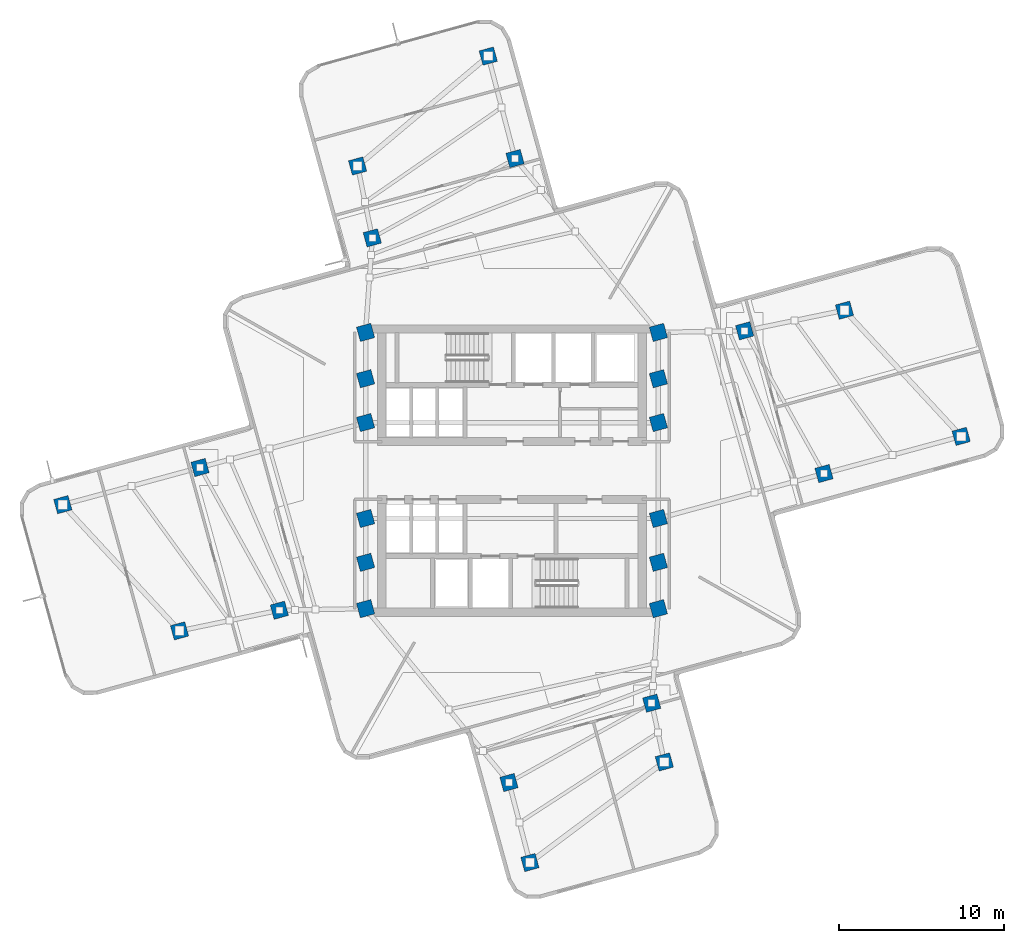
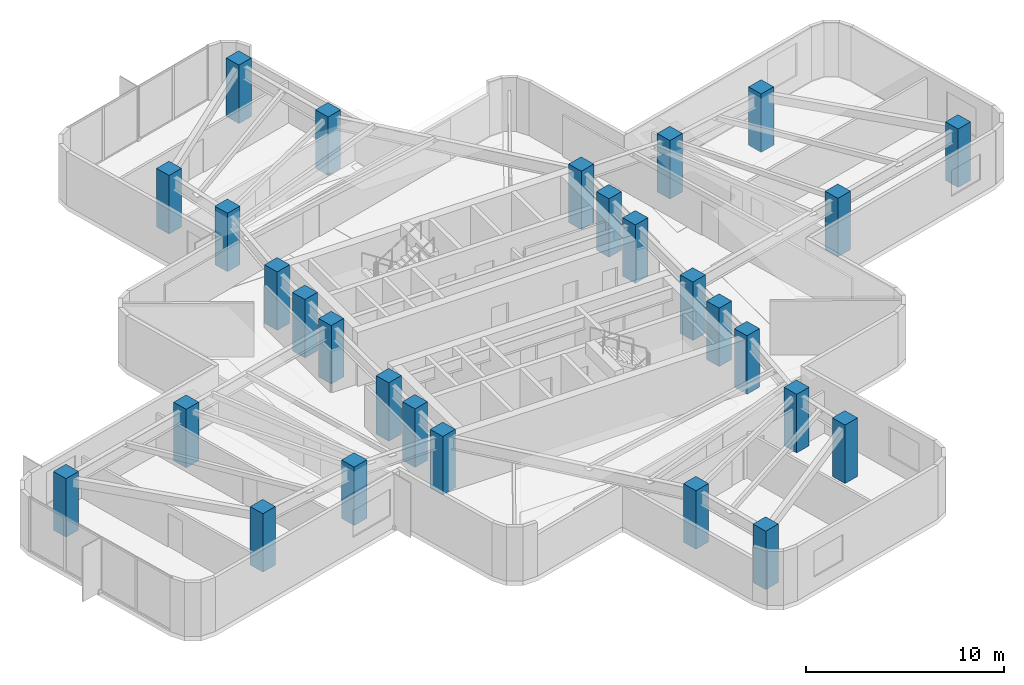
# One storey, part 1 of 12: 28 columns.
"""IFC4 building model written with IfcOpenShell, lengths in metres."""

from ifc_helpers import new_model, si_unit, direction, frame, origin, origin_2d, place, context, subcontext, project, spatial, rectangle, extrude, material, material_profile, profile_set, type_object, element, save


model = new_model("IFC4")

# Units and contexts
model_context = context("Model", 3, precision=1e-05, world=origin(), true_north=direction((0.0, 1.0)))
body_context = subcontext(model_context, "Body", "Model", "MODEL_VIEW")
ifc_project = project(units=[si_unit("LENGTHUNIT", "METRE"), si_unit("AREAUNIT", "SQUARE_METRE"), si_unit("VOLUMEUNIT", "CUBIC_METRE"), si_unit("PLANEANGLEUNIT", "RADIAN"), si_unit("MASSUNIT", "GRAM", prefix="KILO")], contexts=[model_context])

# Site, building, storey
site_placement = place(None, origin())
site = spatial("IfcSite", under=ifc_project, at=site_placement, CompositionType="ELEMENT")
building_placement = place(site_placement, origin())
building = spatial("IfcBuilding", under=site, at=building_placement, Name="Solmarez Civic Tower", CompositionType="ELEMENT")
storey_placement = place(building_placement, frame((0.0, 0.0, 134.280029296875)))
storey = spatial("IfcBuildingStorey", under=building, at=storey_placement, Name="L35", CompositionType="ELEMENT", Elevation=134.280029296875)

# Columns
ifc_material = material(Name="Concrete C50/60", Category="concrete")
ifc_material_profile = material_profile(ifc_material, rectangle(XDim=0.89990234375, YDim=0.89990234375, at=origin_2d()), Name="RC900X900")
ifc_profile_set = profile_set([ifc_material_profile], Name="Concrete C50/60")
column_type = type_object("IfcColumnType", Name="COL-RC900", PredefinedType="COLUMN", material=ifc_profile_set)
for number, where, z_axis, x_axis, name in (
    (1, (-8.85009765625, -5.550048828125, 0.0), (0.0, 0.0, 1.0), (0.964095404234, 0.265556117487, 0.0), "L35 Structural Column HC1"),
    (2, (-8.85009765625, -2.89990234375, 0.0), (0.0, 0.0, 1.0), (0.964095404234, 0.265556117487, 0.0), "L35 Structural Column HC2"),
    (3, (-8.85009765625, 2.89990234375, 0.0), (0.0, 0.0, 1.0), (0.964095404234, 0.265556117487, 0.0), "L35 Structural Column HC3"),
    (4, (-8.85009765625, 5.550048828125, 0.0), (0.0, 0.0, 1.0), (0.964095404234, 0.265556117487, 0.0), "L35 Structural Column HC4"),
    (5, (8.85009765625, -5.550048828125, 0.0), (0.0, 0.0, 1.0), (0.964095404234, 0.265556117487, 0.0), "L35 Structural Column HC5"),
    (6, (8.85009765625, -2.89990234375, 0.0), (0.0, 0.0, 1.0), (0.964095404234, 0.265556117487, 0.0), "L35 Structural Column HC6"),
    (7, (8.85009765625, 2.89990234375, 0.0), (0.0, 0.0, 1.0), (0.964095404234, 0.265556117487, 0.0), "L35 Structural Column HC7"),
    (8, (8.85009765625, 5.550048828125, 0.0), (0.0, 0.0, 1.0), (0.964095404234, 0.265556117487, 0.0), "L35 Structural Column HC8"),
    (9, (-8.85009765625, 8.35009765625, 0.0), (0.0, 0.0, 1.0), (0.964095404234, 0.265556117487, 0.0), "L35 Structural Column HC9"),
    (10, (8.85009765625, -8.35009765625, 0.0), (0.0, 0.0, 1.0), (0.964095404234, 0.265556117487, 0.0), "L35 Structural Column HC10"),
    (11, (8.85009765625, 8.35009765625, 0.0), (0.0, 0.0, 1.0), (0.964095404234, 0.265556117487, 0.0), "L35 Structural Column HC11"),
    (12, (-8.85009765625, -8.35009765625, 0.0), (0.0, 0.0, 1.0), (0.964095404234, 0.265556117487, 0.0), "L35 Structural Column HC12"),
    (13, (18.860107421875, -0.18310546875, 0.0), (0.0, 0.0, 1.0), (0.964095404234, 0.265556117487, 0.0), "L35 Structural Column EA11"),
    (14, (14.06396484375, 8.445068359375, 0.0), (0.0, 0.0, 1.0), (0.964095404234, 0.265556117487, 0.0), "L35 Structural Column EA12"),
    (15, (27.153076171875, 2.06396484375, 0.0), (0.0, 0.0, 1.0), (0.964095404234, 0.265556117487, 0.0), "L35 Structural Column EA21"),
    (16, (20.097900390625, 9.69189453125, 0.0), (0.0, 0.0, 1.0), (0.964095404234, 0.265556117487, 0.0), "L35 Structural Column EA22"),
    (17, (0.18310546875, 18.860107421875, 0.0), (0.0, 0.0, 1.0), (0.964095404234, 0.265556117487, 0.0), "L35 Structural Column NA11"),
    (18, (-8.445068359375, 14.06396484375, 0.0), (0.0, 0.0, 1.0), (0.964095404234, 0.265556117487, 0.0), "L35 Structural Column NA12"),
    (19, (-1.43701171875, 25.052001953125, 0.0), (0.0, 0.0, 1.0), (0.964095404234, 0.265556117487, 0.0), "L35 Structural Column NA21"),
    (20, (-9.3330078125, 18.408935546875, 0.0), (0.0, 0.0, 1.0), (0.964095404234, 0.265556117487, 0.0), "L35 Structural Column NA22"),
    (21, (-18.860107421875, 0.18310546875, 0.0), (0.0, 0.0, 1.0), (0.964095404234, 0.265556117487, 0.0), "L35 Structural Column WA11"),
    (22, (-14.06396484375, -8.445068359375, 0.0), (0.0, 0.0, 1.0), (0.964095404234, 0.265556117487, 0.0), "L35 Structural Column WA12"),
    (23, (-27.153076171875, -2.06396484375, 0.0), (0.0, 0.0, 1.0), (0.964095404234, 0.265556117487, 0.0), "L35 Structural Column WA21"),
    (24, (-20.097900390625, -9.69189453125, 0.0), (0.0, 0.0, 1.0), (0.964095404234, 0.265556117487, 0.0), "L35 Structural Column WA22"),
    (25, (-0.18310546875, -18.860107421875, 0.0), (0.0, 0.0, 1.0), (0.964095404234, 0.265556117487, 0.0), "L35 Structural Column SA11"),
    (26, (8.445068359375, -14.06396484375, 0.0), (0.0, 0.0, 1.0), (0.964095404234, 0.265556117487, 0.0), "L35 Structural Column SA12"),
    (27, (1.0830078125, -23.697021484375, 0.0), (0.0, 0.0, 1.0), (0.964095404234, 0.265556117487, 0.0), "L35 Structural Column SA21"),
    (28, (9.2080078125, -17.614990234375, 0.0), (0.0, 0.0, 1.0), (0.964095404234, 0.265556117487, 0.0), "L35 Structural Column SA22"),
):
    element("IfcColumn", number, at=place(storey_placement, frame(where, z_axis=z_axis, x_axis=x_axis)), inside=storey, type_object=column_type, Name=name, PredefinedType="COLUMN", context=body_context, shape_type="SweptSolid", body=[
        extrude(rectangle(XDim=0.89990234375, YDim=0.89990234375, at=origin_2d()), origin(), (0.0, 0.0, 1.0), 3.599853515625),
    ])

save(model, "model.ifc")
